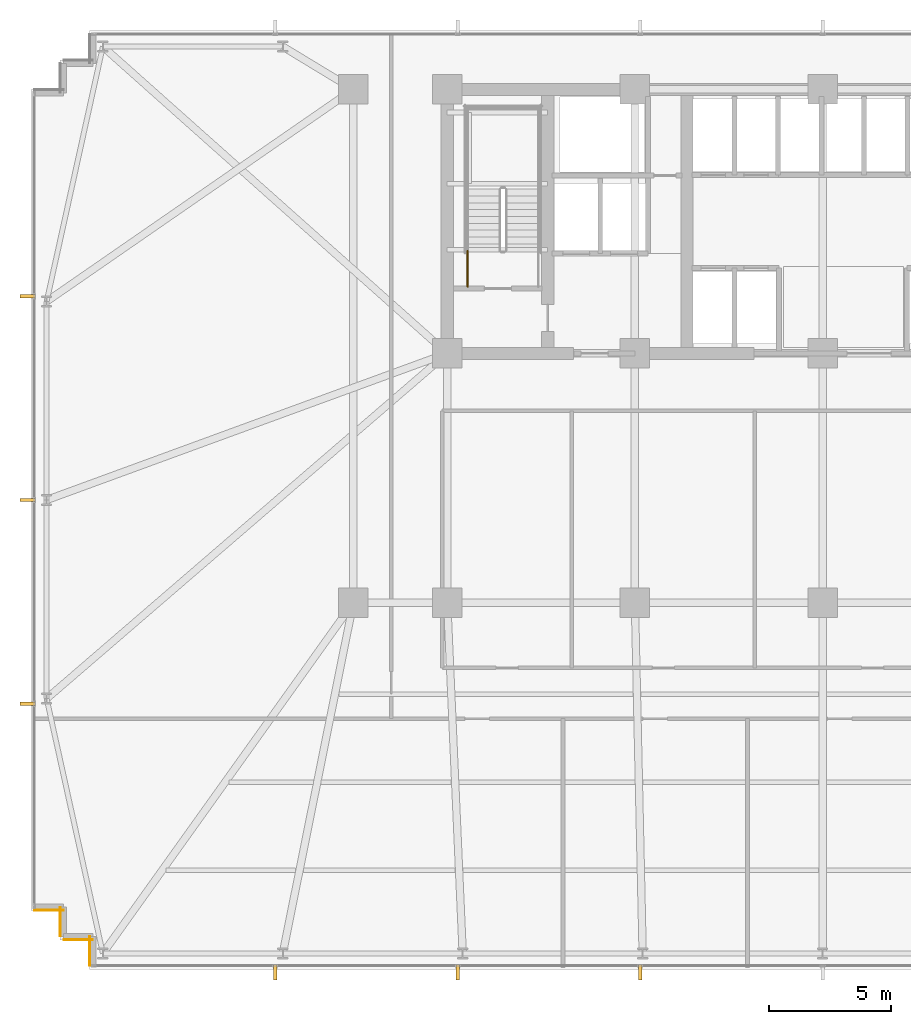
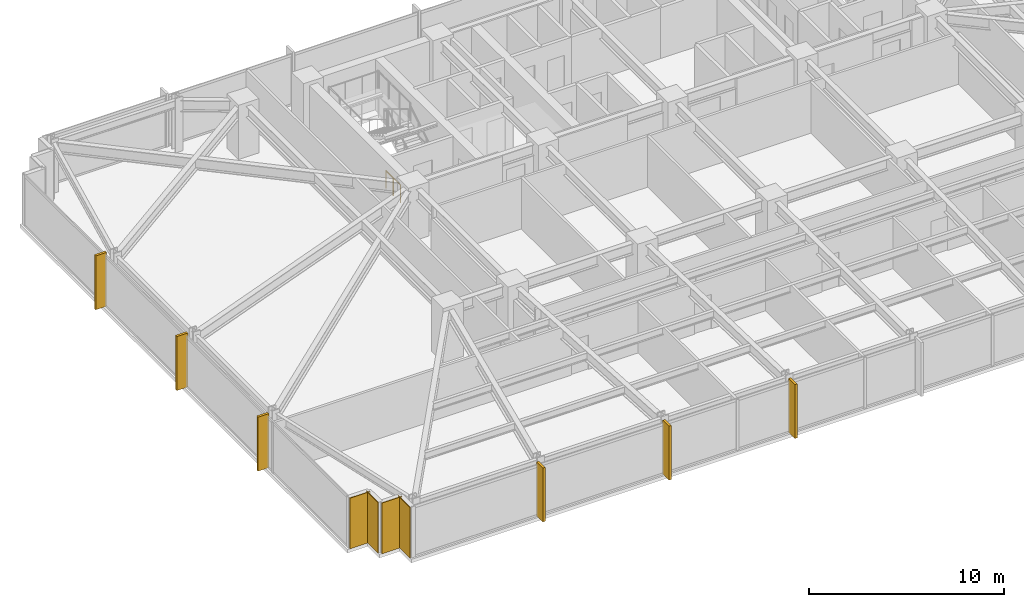
# One storey, part 27 of 33: 6 shading devices, 4 coverings, 1 railing.
"""IFC4 building model written with IfcOpenShell, lengths in metres."""

from ifc_helpers import new_model, si_unit, direction, frame, frame_2d, origin, origin_2d, place, context, subcontext, project, spatial, rectangle, circle, extrude, material, layer, layer_set, type_object, element, save


model = new_model("IFC4")

# Units and contexts
model_context = context("Model", 3, precision=1e-05, world=origin(), true_north=direction((0.0, 1.0)))
body_context = subcontext(model_context, "Body", "Model", "MODEL_VIEW")
ifc_project = project(units=[si_unit("LENGTHUNIT", "METRE"), si_unit("AREAUNIT", "SQUARE_METRE"), si_unit("VOLUMEUNIT", "CUBIC_METRE"), si_unit("PLANEANGLEUNIT", "RADIAN"), si_unit("MASSUNIT", "GRAM", prefix="KILO")], contexts=[model_context])

# Site, building, storey
site_placement = place(None, origin())
site = spatial("IfcSite", under=ifc_project, at=site_placement, CompositionType="ELEMENT")
building_placement = place(site_placement, origin())
building = spatial("IfcBuilding", under=site, at=building_placement, Name="Yelkora Congress Tower", CompositionType="ELEMENT")
storey_placement = place(building_placement, frame((0.0, 0.0, 71.199951171875)))
storey = spatial("IfcBuildingStorey", under=building, at=storey_placement, Name="L18", CompositionType="ELEMENT", Elevation=71.199951171875)

# Coverings
ifc_material_1 = material(Name="Anatolian bush-hammered limestone", Category="masonry")
ifc_layer_1 = layer(ifc_material_1, 0.0400390625)
ifc_layer_set_1 = layer_set([ifc_layer_1], Name="Anatolian bush-hammered limestone")
covering_type = type_object("IfcCoveringType", Name="COV-CLAD-SPANDREL-40", PredefinedType="CLADDING", material=ifc_layer_set_1)
for number, where, z_axis, x_axis, name in (
    (1, (8.405029296875, 10.340087890625, 0.0), (0.0, 0.0, 1.0), (0.0, 1.0, 0.0), "L18 Anatolian Limestone Cladding EW-L18-SR01"),
    (2, (8.5400390625, 11.405029296875, 0.0), (0.0, 0.0, 1.0), (-1.0, 0.0, 0.0), "L18 Anatolian Limestone Cladding EW-L18-SR02"),
    (3, (7.205078125, 11.5400390625, 0.0), (0.0, 0.0, 1.0), (0.0, 1.0, 0.0), "L18 Anatolian Limestone Cladding EW-L18-SR03"),
):
    element("IfcCovering", number, at=place(storey_placement, frame(where, z_axis=z_axis, x_axis=x_axis)), inside=storey, type_object=covering_type, Name=name, PredefinedType="CLADDING", context=body_context, shape_type="SweptSolid", body=[
        extrude(rectangle(XDim=1.199951171875, YDim=0.0400390625, at=frame_2d((0.60009765625, 0.0))), origin(), (0.0, 0.0, 1.0), 3.179931640625),
    ])
covering_placement = place(storey_placement, frame((7.340087890625, 12.60498046875, 0.0), z_axis=(0.0, 0.0, 1.0), x_axis=(-1.0, 0.0, 0.0)))
element("IfcCovering", 4, at=covering_placement, inside=storey, type_object=covering_type, Name="L18 Anatolian Limestone Cladding EW-L18-SR04", PredefinedType="CLADDING", context=body_context, shape_type="SweptSolid", body=[
    extrude(rectangle(XDim=1.2001953125, YDim=0.0400390625, at=frame_2d((0.60009765625, 0.0))), origin(), (0.0, 0.0, 1.0), 3.179931640625),
])

# Railing
ifc_material_2 = material(Name="Painted galvanised steel stair well guard with vertical infill", Category="steel")
ifc_layer_2 = layer(ifc_material_2, 0.06005859375)
ifc_layer_set_2 = layer_set([ifc_layer_2], Name="Painted galvanised steel stair well guard with vertical infill")
railing_type = type_object("IfcRailingType", Name="RAIL-STAIR-GUARD-1120", PredefinedType="GUARDRAIL", material=ifc_layer_set_2)
railing_placement = place(storey_placement, frame((23.8701171875, 38.1201171875, 0.0)))
element("IfcRailing", 5, at=railing_placement, inside=storey, type_object=railing_type, Name="ST-01 L18 Stair Well Guardrail 9", PredefinedType="GUARDRAIL", context=body_context, shape_type="SweptSolid", body=[
    extrude(circle(Radius=0.02392578125, at=origin_2d()), frame((0.0, 0.0, 1.09619140625), z_axis=(0.0, 1.0, 0.0), x_axis=(-1.0, 0.0, 0.0)), (0.0, 0.0, 1.0), 1.47998046875),
    extrude(circle(Radius=0.02099609375, at=origin_2d()), origin(), (0.0, 0.0, 1.0), 1.072021484375),
    extrude(circle(Radius=0.02099609375, at=origin_2d()), frame((0.0, 0.739990234375, 0.0)), (0.0, 0.0, 1.0), 1.072021484375),
    extrude(circle(Radius=0.02099609375, at=origin_2d()), frame((0.0, 1.47998046875, 0.0)), (0.0, 0.0, 1.0), 1.072021484375),
])

# Shading devices
ifc_material_3 = material(Name="Champagne anodised aluminium", Category="aluminium")
ifc_layer_3 = layer(ifc_material_3, 3.39990234375)
ifc_layer_set_3 = layer_set([ifc_layer_3], Name="Champagne anodised aluminium")
shading_device_type = type_object("IfcShadingDeviceType", Name="SHD-FIN-ALU-640", PredefinedType="USERDEFINED", material=ifc_layer_set_3)
for number, where, z_axis, x_axis, name in (
    (6, (5.8798828125, 21.070068359375, -0.02978515625), (0.0, 0.0, 1.0), (0.0, 1.0, 0.0), "L18 Vertical Anodised Solar Fin 5-1"),
    (7, (5.8798828125, 29.39990234375, -0.02978515625), (0.0, 0.0, 1.0), (0.0, 1.0, 0.0), "L18 Vertical Anodised Solar Fin 5-2"),
    (8, (5.8798828125, 37.72998046875, -0.02978515625), (0.0, 0.0, 1.0), (0.0, 1.0, 0.0), "L18 Vertical Anodised Solar Fin 5-3"),
    (9, (30.93505859375, 10.080078125, -0.02978515625), (0.0, 0.0, 1.0), (-1.0, 0.0, 0.0), "L18 Vertical Anodised Solar Fin 20-5"),
    (10, (23.469970703125, 10.080078125, -0.02978515625), (0.0, 0.0, 1.0), (-1.0, 0.0, 0.0), "L18 Vertical Anodised Solar Fin 20-6"),
    (11, (16.0048828125, 10.080078125, -0.02978515625), (0.0, 0.0, 1.0), (-1.0, 0.0, 0.0), "L18 Vertical Anodised Solar Fin 20-7"),
):
    element("IfcShadingDevice", number, at=place(storey_placement, frame(where, z_axis=z_axis, x_axis=x_axis)), inside=storey, type_object=shading_device_type, Name=name, ObjectType="FIN", PredefinedType="USERDEFINED", context=body_context, shape_type="SweptSolid", body=[
        extrude(rectangle(XDim=0.139892578125, YDim=0.639892578125, at=origin_2d()), origin(), (0.0, 0.0, 1.0), 3.3798828125),
    ])

save(model, "model.ifc")
